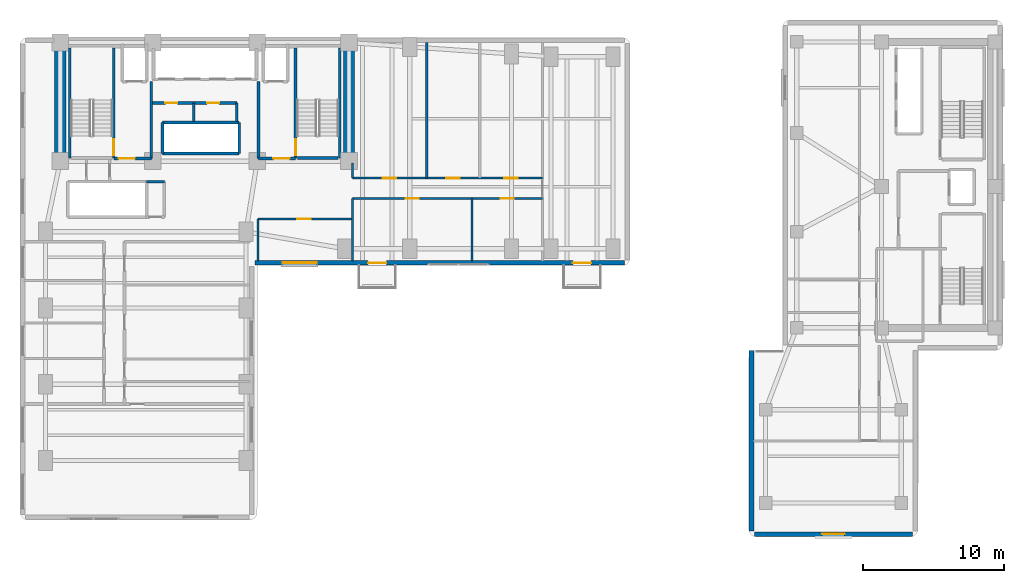
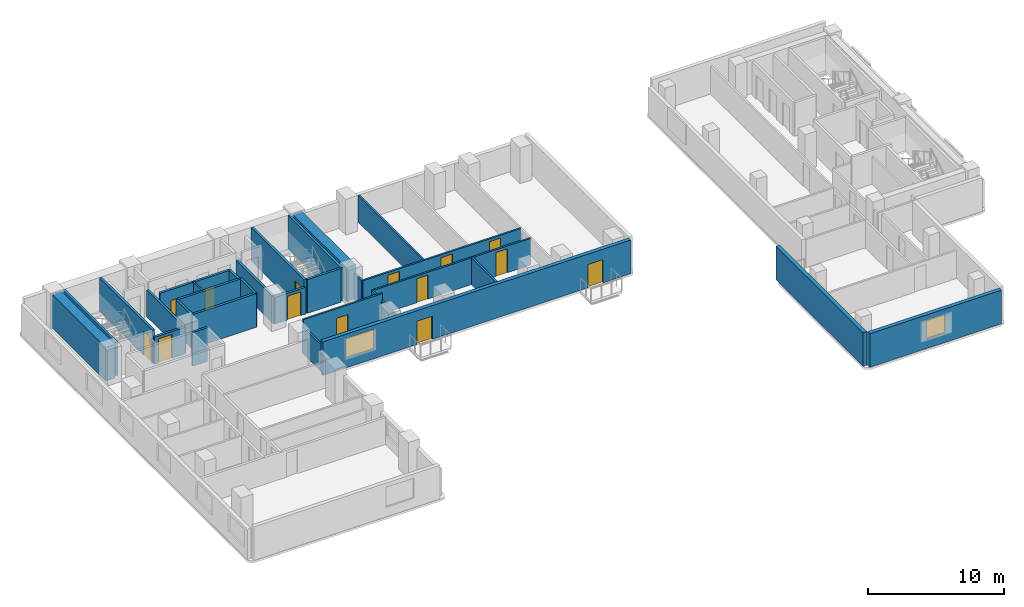
# One storey, part 9 of 14: 30 walls, 14 doors, 2 windows, 16 openings.
"""IFC4 building model written with IfcOpenShell, lengths in metres."""

from ifc_helpers import new_model, si_unit, direction, frame, frame_2d, origin, place, context, subcontext, project, spatial, rectangle, extrude, material, layer, layer_set, type_object, element, fill, save


model = new_model("IFC4")

# Units and contexts
model_context = context("Model", 3, precision=1e-05, world=origin(), true_north=direction((0.0, 1.0)))
body_context = subcontext(model_context, "Body", "Model", "MODEL_VIEW")
ifc_project = project(units=[si_unit("LENGTHUNIT", "METRE"), si_unit("AREAUNIT", "SQUARE_METRE"), si_unit("VOLUMEUNIT", "CUBIC_METRE"), si_unit("PLANEANGLEUNIT", "RADIAN"), si_unit("MASSUNIT", "GRAM", prefix="KILO")], contexts=[model_context])

# Site, building, storey
site_placement = place(None, origin())
site = spatial("IfcSite", under=ifc_project, at=site_placement, CompositionType="ELEMENT")
building_placement = place(site_placement, origin())
building = spatial("IfcBuilding", under=site, at=building_placement, Name="Kuzgunbayir Cultural Tower", CompositionType="ELEMENT")
storey_placement = place(building_placement, frame((0.0, 0.0, 62.800048828125)))
storey = spatial("IfcBuildingStorey", under=building, at=storey_placement, Name="L17", CompositionType="ELEMENT", Elevation=62.800048828125)

# Walls
ifc_material_1 = material(Name="Concrete C60/75", Category="concrete")
ifc_layer_1 = layer(ifc_material_1, 0.800048828125)
ifc_layer_set_1 = layer_set([ifc_layer_1], Name="Concrete C60/75")
wall_type_1 = type_object("IfcWallType", Name="WAL-CORE-800", PredefinedType="SHEAR", material=ifc_layer_set_1)
for number, where, z_axis, x_axis, name in (
    (1, (6.449951171875, 33.800048828125, 0.0), (0.0, 0.0, 1.0), (0.0, 1.0, 0.0), "L17 T1 Core West Shear Wall"),
    (2, (26.89990234375, 33.800048828125, 0.0), (0.0, 0.0, 1.0), (0.0, 1.0, 0.0), "L17 T1 Core East Shear Wall"),
):
    element("IfcWall", number, at=place(storey_placement, frame(where, z_axis=z_axis, x_axis=x_axis)), inside=storey, type_object=wall_type_1, Name=name, PredefinedType="SHEAR", context=body_context, shape_type="SweptSolid", body=[
        extrude(rectangle(XDim=7.949951171875, YDim=0.800048828125, at=frame_2d((3.97509765625, 0.0))), origin(), (0.0, 0.0, 1.0), 3.02001953125),
    ])

# Wall, openings, doors, window
ifc_material_2 = material(Name="Travertine Buff Ashlar", Category="masonry")
ifc_layer_2 = layer(ifc_material_2, 0.320068359375)
ifc_layer_set_2 = layer_set([ifc_layer_2], Name="Travertine Buff Ashlar")
wall_type_2 = type_object("IfcWallType", Name="WAL-EXT-STONE-320", PredefinedType="STANDARD", material=ifc_layer_set_2)
wall_1_placement = place(storey_placement, frame((20.25, 26.60009765625, 0.0), z_axis=(0.0, 0.0, 1.0), x_axis=(1.0, 0.0, 0.0)))
wall_1 = element("IfcWall", 3, at=wall_1_placement, inside=storey, type_object=wall_type_2, Name="L17 Wing B South Limestone Wall", PredefinedType="STANDARD", context=body_context, shape_type="SweptSolid", body=[
    extrude(rectangle(XDim=26.14990234375, YDim=0.320068359375, at=frame_2d((13.074951171875, 0.0))), origin(), (0.0, 0.0, 1.0), 3.02001953125),
])
opening_1_placement = place(wall_1_placement, frame((8.0, 0.0, 0.0)))
opening_1 = element("IfcOpeningElement", 4, at=opening_1_placement, cuts=wall_1, Name="Opening BD-13", PredefinedType="OPENING", context=body_context, shape_type="SweptSolid", body=[
    extrude(rectangle(XDim=1.300048828125, YDim=2.080078125, at=frame_2d((0.64990234375, 1.0400390625))), frame((0.0, 0.169921875, 0.0), z_axis=(0.0, -1.0, 0.0), x_axis=(1.0, 0.0, 0.0)), (0.0, 0.0, 1.0), 0.340087890625),
])
opening_2_placement = place(wall_1_placement, frame((22.5, 0.0, 0.0)))
opening_2 = element("IfcOpeningElement", 5, at=opening_2_placement, cuts=wall_1, Name="Opening BD-13", PredefinedType="OPENING", context=body_context, shape_type="SweptSolid", body=[
    extrude(rectangle(XDim=1.300048828125, YDim=2.080078125, at=frame_2d((0.64990234375, 1.0400390625))), frame((0.0, 0.169921875, 0.0), z_axis=(0.0, -1.0, 0.0), x_axis=(1.0, 0.0, 0.0)), (0.0, 0.0, 1.0), 0.340087890625),
])
opening_3_placement = place(wall_1_placement, frame((1.949951171875, 0.0, 0.85009765625)))
opening_3 = element("IfcOpeningElement", 6, at=opening_3_placement, cuts=wall_1, Name="Opening WO-24", PredefinedType="OPENING", context=body_context, shape_type="SweptSolid", body=[
    extrude(rectangle(XDim=2.39990234375, YDim=1.800048828125, at=frame_2d((1.199951171875, 0.89990234375))), frame((0.0, 0.169921875, 0.0), z_axis=(0.0, -1.0, 0.0), x_axis=(1.0, 0.0, 0.0)), (0.0, 0.0, 1.0), 0.340087890625),
])
ifc_material_3 = material(Name="Thermally Broken Glazed Aluminium", Category="aluminium")
door_type_1 = type_object("IfcDoorType", Name="DR-BALCONY-135", OperationType="SLIDING_TO_LEFT", PredefinedType="DOOR", material=ifc_material_3)
door_1_placement = place(opening_1_placement, origin())
door_1 = element("IfcDoor", 7, at=door_1_placement, inside=storey, type_object=door_type_1, Name="L17 South Balcony Sliding Door BAL-L17-WB1", OperationType="SLIDING_TO_LEFT", OverallHeight=2.080078125, OverallWidth=1.300048828125, PredefinedType="DOOR", context=body_context, shape_type="SweptSolid", body=[
    extrude(rectangle(XDim=1.300048828125, YDim=2.080078125, at=frame_2d((0.64990234375, 1.0400390625))), frame((0.0, 0.02490234375, 0.0), z_axis=(0.0, -1.0, 0.0), x_axis=(1.0, 0.0, 0.0)), (0.0, 0.0, 1.0), 0.050048828125),
])
fill(opening_1, door_1)
door_2_placement = place(opening_2_placement, origin())
door_2 = element("IfcDoor", 8, at=door_2_placement, inside=storey, type_object=door_type_1, Name="L17 South Balcony Sliding Door BAL-L17-WB3", OperationType="SLIDING_TO_LEFT", OverallHeight=2.080078125, OverallWidth=1.300048828125, PredefinedType="DOOR", context=body_context, shape_type="SweptSolid", body=[
    extrude(rectangle(XDim=1.300048828125, YDim=2.080078125, at=frame_2d((0.64990234375, 1.0400390625))), frame((0.0, 0.02490234375, 0.0), z_axis=(0.0, -1.0, 0.0), x_axis=(1.0, 0.0, 0.0)), (0.0, 0.0, 1.0), 0.050048828125),
])
fill(opening_2, door_2)
ifc_material_4 = material(Name="Solar-Control Triple Glazing", Category="glass")
window_type_1 = type_object("IfcWindowType", Name="WIN-OFFICE-24", PartitioningType="SINGLE_PANEL", PredefinedType="WINDOW", material=ifc_material_4)
window_1_placement = place(opening_3_placement, origin())
window_1 = element("IfcWindow", 9, at=window_1_placement, inside=storey, type_object=window_type_1, Name="L17 WBS Facade Window 10", OverallHeight=1.800048828125, OverallWidth=2.39990234375, PartitioningType="SINGLE_PANEL", PredefinedType="WINDOW", context=body_context, shape_type="SweptSolid", body=[
    extrude(rectangle(XDim=2.39990234375, YDim=1.800048828125, at=frame_2d((1.199951171875, 0.89990234375))), frame((0.0, 0.030029296875, 0.0), z_axis=(0.0, -1.0, 0.0), x_axis=(1.0, 0.0, 0.0)), (0.0, 0.0, 1.0), 0.06005859375),
])
fill(opening_3, window_1)

# Wall, opening, window
wall_2_placement = place(storey_placement, frame((55.60009765625, 7.39990234375, 0.0), z_axis=(0.0, 0.0, 1.0), x_axis=(1.0, 0.0, 0.0)))
wall_2 = element("IfcWall", 10, at=wall_2_placement, inside=storey, type_object=wall_type_2, Name="L17 Companion Wing B South Wall", PredefinedType="STANDARD", context=body_context, shape_type="SweptSolid", body=[
    extrude(rectangle(XDim=11.199951171875, YDim=0.320068359375, at=frame_2d((5.60009765625, 0.0))), origin(), (0.0, 0.0, 1.0), 3.02001953125),
])
opening_4_placement = place(wall_2_placement, frame((4.800048828125, 0.0, 0.85009765625)))
opening_4 = element("IfcOpeningElement", 11, at=opening_4_placement, cuts=wall_2, Name="Opening WC-16", PredefinedType="OPENING", context=body_context, shape_type="SweptSolid", body=[
    extrude(rectangle(XDim=1.60009765625, YDim=1.699951171875, at=frame_2d((0.800048828125, 0.85009765625))), frame((0.0, 0.169921875, 0.0), z_axis=(0.0, -1.0, 0.0), x_axis=(1.0, 0.0, 0.0)), (0.0, 0.0, 1.0), 0.340087890625),
])
window_type_2 = type_object("IfcWindowType", Name="WIN-COMP-16", PartitioningType="SINGLE_PANEL", PredefinedType="WINDOW", material=ifc_material_4)
window_2_placement = place(opening_4_placement, origin())
window_2 = element("IfcWindow", 12, at=window_2_placement, inside=storey, type_object=window_type_2, Name="L17 Companion South Window", OverallHeight=1.699951171875, OverallWidth=1.60009765625, PartitioningType="SINGLE_PANEL", PredefinedType="WINDOW", context=body_context, shape_type="SweptSolid", body=[
    extrude(rectangle(XDim=1.60009765625, YDim=1.699951171875, at=frame_2d((0.800048828125, 0.85009765625))), frame((0.0, 0.030029296875, 0.0), z_axis=(0.0, -1.0, 0.0), x_axis=(1.0, 0.0, 0.0)), (0.0, 0.0, 1.0), 0.06005859375),
])
fill(opening_4, window_2)

# Walls
wall_3_placement = place(storey_placement, frame((55.39990234375, 20.39990234375, 0.0), z_axis=(0.0, 0.0, 1.0), x_axis=(0.0, -1.0, 0.0)))
element("IfcWall", 13, at=wall_3_placement, inside=storey, type_object=wall_type_2, Name="L17 Companion Wing B West Wall", PredefinedType="STANDARD", context=body_context, shape_type="SweptSolid", body=[
    extrude(rectangle(XDim=12.7998046875, YDim=0.320068359375, at=frame_2d((6.39990234375, 0.0))), origin(), (0.0, 0.0, 1.0), 3.02001953125),
])
ifc_material_5 = material(Name="Acoustic Double-Stud Drywall", Category="gypsum")
ifc_layer_3 = layer(ifc_material_5, 0.14990234375)
ifc_layer_set_3 = layer_set([ifc_layer_3], Name="Acoustic Double-Stud Drywall")
wall_type_3 = type_object("IfcWallType", Name="WAL-PART-ACOUSTIC-150", PredefinedType="PARTITIONING", material=ifc_layer_set_3)
wall_4_placement = place(storey_placement, frame((15.89990234375, 36.60009765625, 0.0), z_axis=(0.0, 0.0, 1.0), x_axis=(0.0, 1.0, 0.0)))
element("IfcWall", 14, at=wall_4_placement, inside=storey, type_object=wall_type_3, Name="L17 Core Closets Divider", PredefinedType="PARTITIONING", context=body_context, shape_type="SweptSolid", body=[
    extrude(rectangle(XDim=1.31982421875, YDim=0.14990234375, at=frame_2d((0.659912109375, 0.0))), origin(), (0.0, 0.0, 1.0), 3.02001953125),
])

# Wall, opening, door
wall_5_placement = place(storey_placement, frame((20.449951171875, 29.699951171875, 0.0), z_axis=(0.0, 0.0, 1.0), x_axis=(1.0, 0.0, 0.0)))
wall_5 = element("IfcWall", 15, at=wall_5_placement, inside=storey, type_object=wall_type_3, Name="L17 Waist Alcove North Wall", PredefinedType="PARTITIONING", context=body_context, shape_type="SweptSolid", body=[
    extrude(rectangle(XDim=6.699951171875, YDim=0.14990234375, at=frame_2d((3.35009765625, 0.0))), origin(), (0.0, 0.0, 1.0), 3.02001953125),
])
opening_5_placement = place(wall_5_placement, frame((2.800048828125, 0.0, 0.0)))
opening_5 = element("IfcOpeningElement", 16, at=opening_5_placement, cuts=wall_5, Name="Opening DI-90", PredefinedType="OPENING", context=body_context, shape_type="SweptSolid", body=[
    extrude(rectangle(XDim=0.949951171875, YDim=2.14990234375, at=frame_2d((0.47509765625, 1.074951171875))), frame((0.0, 0.0849609375, 0.0), z_axis=(0.0, -1.0, 0.0), x_axis=(1.0, 0.0, 0.0)), (0.0, 0.0, 1.0), 0.169921875),
])
ifc_material_6 = material(Name="Veneered Oak Single Leaf", Category="wood")
door_type_2 = type_object("IfcDoorType", Name="DR-INT-90", OperationType="NOTDEFINED", PredefinedType="DOOR", material=ifc_material_6)
door_3_placement = place(opening_5_placement, origin())
door_3 = element("IfcDoor", 17, at=door_3_placement, inside=storey, type_object=door_type_2, Name="L17 Waist Alcove Door", OperationType="SINGLE_SWING_RIGHT", OverallHeight=2.14990234375, OverallWidth=0.949951171875, PredefinedType="DOOR", context=body_context, shape_type="SweptSolid", body=[
    extrude(rectangle(XDim=0.949951171875, YDim=2.14990234375, at=frame_2d((0.47509765625, 1.074951171875))), frame((0.0, 0.02490234375, 0.0), z_axis=(0.0, -1.0, 0.0), x_axis=(1.0, 0.0, 0.0)), (0.0, 0.0, 1.0), 0.050048828125),
])
fill(opening_5, door_3)

# Walls
wall_6_placement = place(storey_placement, frame((20.449951171875, 26.75, 0.0), z_axis=(0.0, 0.0, 1.0), x_axis=(0.0, 1.0, 0.0)))
element("IfcWall", 18, at=wall_6_placement, inside=storey, type_object=wall_type_3, Name="L17 Waist Alcove West Wall", PredefinedType="PARTITIONING", context=body_context, shape_type="SweptSolid", body=[
    extrude(rectangle(XDim=2.949951171875, YDim=0.14990234375, at=frame_2d((1.47509765625, 0.0))), origin(), (0.0, 0.0, 1.0), 2.39990234375),
])
wall_7_placement = place(storey_placement, frame((27.14990234375, 26.75, 0.0), z_axis=(0.0, 0.0, 1.0), x_axis=(0.0, 1.0, 0.0)))
element("IfcWall", 19, at=wall_7_placement, inside=storey, type_object=wall_type_3, Name="L17 Waist Alcove East Wall", PredefinedType="PARTITIONING", context=body_context, shape_type="SweptSolid", body=[
    extrude(rectangle(XDim=4.39990234375, YDim=0.14990234375, at=frame_2d((2.199951171875, 0.0))), origin(), (0.0, 0.0, 1.0), 2.39990234375),
])

# Wall, openings, doors
wall_8_placement = place(storey_placement, frame((27.14990234375, 31.14990234375, 0.0), z_axis=(0.0, 0.0, 1.0), x_axis=(1.0, 0.0, 0.0)))
wall_8 = element("IfcWall", 20, at=wall_8_placement, inside=storey, type_object=wall_type_3, Name="L17 Wing B Corridor South Wall", PredefinedType="PARTITIONING", context=body_context, shape_type="SweptSolid", body=[
    extrude(rectangle(XDim=13.4501953125, YDim=0.14990234375, at=frame_2d((6.72509765625, 0.0))), origin(), (0.0, 0.0, 1.0), 2.39990234375),
])
opening_6_placement = place(wall_8_placement, frame((3.75, 0.0, 0.0)))
opening_6 = element("IfcOpeningElement", 21, at=opening_6_placement, cuts=wall_8, Name="Opening DI-90", PredefinedType="OPENING", context=body_context, shape_type="SweptSolid", body=[
    extrude(rectangle(XDim=0.949951171875, YDim=2.14990234375, at=frame_2d((0.47509765625, 1.074951171875))), frame((0.0, 0.0849609375, 0.0), z_axis=(0.0, -1.0, 0.0), x_axis=(1.0, 0.0, 0.0)), (0.0, 0.0, 1.0), 0.169921875),
])
opening_7_placement = place(wall_8_placement, frame((10.47998046875, 0.0, 0.0)))
opening_7 = element("IfcOpeningElement", 22, at=opening_7_placement, cuts=wall_8, Name="Opening DI-90", PredefinedType="OPENING", context=body_context, shape_type="SweptSolid", body=[
    extrude(rectangle(XDim=0.949951171875, YDim=2.14990234375, at=frame_2d((0.47509765625, 1.074951171875))), frame((0.0, 0.0849609375, 0.0), z_axis=(0.0, -1.0, 0.0), x_axis=(1.0, 0.0, 0.0)), (0.0, 0.0, 1.0), 0.169921875),
])
door_4_placement = place(opening_6_placement, origin())
door_4 = element("IfcDoor", 23, at=door_4_placement, inside=storey, type_object=door_type_2, Name="L17 Wing B Fellows Reading Lounge 1 Door", OperationType="SINGLE_SWING_LEFT", OverallHeight=2.14990234375, OverallWidth=0.949951171875, PredefinedType="DOOR", context=body_context, shape_type="SweptSolid", body=[
    extrude(rectangle(XDim=0.949951171875, YDim=2.14990234375, at=frame_2d((0.47509765625, 1.074951171875))), frame((0.0, 0.02490234375, 0.0), z_axis=(0.0, -1.0, 0.0), x_axis=(1.0, 0.0, 0.0)), (0.0, 0.0, 1.0), 0.050048828125),
])
fill(opening_6, door_4)
door_5_placement = place(opening_7_placement, origin())
door_5 = element("IfcDoor", 24, at=door_5_placement, inside=storey, type_object=door_type_2, Name="L17 Wing B Culinary Tasting Pantry 2 Door", OperationType="SINGLE_SWING_RIGHT", OverallHeight=2.14990234375, OverallWidth=0.949951171875, PredefinedType="DOOR", context=body_context, shape_type="SweptSolid", body=[
    extrude(rectangle(XDim=0.949951171875, YDim=2.14990234375, at=frame_2d((0.47509765625, 1.074951171875))), frame((0.0, 0.02490234375, 0.0), z_axis=(0.0, -1.0, 0.0), x_axis=(1.0, 0.0, 0.0)), (0.0, 0.0, 1.0), 0.050048828125),
])
fill(opening_7, door_5)

wall_9_placement = place(storey_placement, frame((27.14990234375, 32.60009765625, 0.0), z_axis=(0.0, 0.0, 1.0), x_axis=(1.0, 0.0, 0.0)))
wall_9 = element("IfcWall", 25, at=wall_9_placement, inside=storey, type_object=wall_type_3, Name="L17 Wing B Corridor North Wall", PredefinedType="PARTITIONING", context=body_context, shape_type="SweptSolid", body=[
    extrude(rectangle(XDim=13.4501953125, YDim=0.14990234375, at=frame_2d((6.72509765625, 0.0))), origin(), (0.0, 0.0, 1.0), 2.39990234375),
])
opening_8_placement = place(wall_9_placement, frame((2.14990234375, 0.0, 0.0)))
opening_8 = element("IfcOpeningElement", 26, at=opening_8_placement, cuts=wall_9, Name="Opening DI-90", PredefinedType="OPENING", context=body_context, shape_type="SweptSolid", body=[
    extrude(rectangle(XDim=0.949951171875, YDim=2.14990234375, at=frame_2d((0.47509765625, 1.074951171875))), frame((0.0, 0.0849609375, 0.0), z_axis=(0.0, -1.0, 0.0), x_axis=(1.0, 0.0, 0.0)), (0.0, 0.0, 1.0), 0.169921875),
])
opening_9_placement = place(wall_9_placement, frame((6.64990234375, 0.0, 0.0)))
opening_9 = element("IfcOpeningElement", 27, at=opening_9_placement, cuts=wall_9, Name="Opening DI-90", PredefinedType="OPENING", context=body_context, shape_type="SweptSolid", body=[
    extrude(rectangle(XDim=0.949951171875, YDim=2.14990234375, at=frame_2d((0.47509765625, 1.074951171875))), frame((0.0, 0.0849609375, 0.0), z_axis=(0.0, -1.0, 0.0), x_axis=(1.0, 0.0, 0.0)), (0.0, 0.0, 1.0), 0.169921875),
])
opening_10_placement = place(wall_9_placement, frame((10.75, 0.0, 0.0)))
opening_10 = element("IfcOpeningElement", 28, at=opening_10_placement, cuts=wall_9, Name="Opening DI-90", PredefinedType="OPENING", context=body_context, shape_type="SweptSolid", body=[
    extrude(rectangle(XDim=0.949951171875, YDim=2.14990234375, at=frame_2d((0.47509765625, 1.074951171875))), frame((0.0, 0.0849609375, 0.0), z_axis=(0.0, -1.0, 0.0), x_axis=(1.0, 0.0, 0.0)), (0.0, 0.0, 1.0), 0.169921875),
])
door_6_placement = place(opening_8_placement, origin())
door_6 = element("IfcDoor", 29, at=door_6_placement, inside=storey, type_object=door_type_2, Name="L17 Wing B North Fellows Reading Lounge 1 Door", OperationType="SINGLE_SWING_LEFT", OverallHeight=2.14990234375, OverallWidth=0.949951171875, PredefinedType="DOOR", context=body_context, shape_type="SweptSolid", body=[
    extrude(rectangle(XDim=0.949951171875, YDim=2.14990234375, at=frame_2d((0.47509765625, 1.074951171875))), frame((0.0, 0.02490234375, 0.0), z_axis=(0.0, -1.0, 0.0), x_axis=(1.0, 0.0, 0.0)), (0.0, 0.0, 1.0), 0.050048828125),
])
fill(opening_8, door_6)
door_7_placement = place(opening_9_placement, origin())
door_7 = element("IfcDoor", 30, at=door_7_placement, inside=storey, type_object=door_type_2, Name="L17 Wing B North Curatorial Office 2 Door", OperationType="SINGLE_SWING_RIGHT", OverallHeight=2.14990234375, OverallWidth=0.949951171875, PredefinedType="DOOR", context=body_context, shape_type="SweptSolid", body=[
    extrude(rectangle(XDim=0.949951171875, YDim=2.14990234375, at=frame_2d((0.47509765625, 1.074951171875))), frame((0.0, 0.02490234375, 0.0), z_axis=(0.0, -1.0, 0.0), x_axis=(1.0, 0.0, 0.0)), (0.0, 0.0, 1.0), 0.050048828125),
])
fill(opening_9, door_7)
door_8_placement = place(opening_10_placement, origin())
door_8 = element("IfcDoor", 31, at=door_8_placement, inside=storey, type_object=door_type_2, Name="L17 Wing B North Seminar Boardroom 3 Door", OperationType="SINGLE_SWING_LEFT", OverallHeight=2.14990234375, OverallWidth=0.949951171875, PredefinedType="DOOR", context=body_context, shape_type="SweptSolid", body=[
    extrude(rectangle(XDim=0.949951171875, YDim=2.14990234375, at=frame_2d((0.47509765625, 1.074951171875))), frame((0.0, 0.02490234375, 0.0), z_axis=(0.0, -1.0, 0.0), x_axis=(1.0, 0.0, 0.0)), (0.0, 0.0, 1.0), 0.050048828125),
])
fill(opening_10, door_8)

# Walls
wall_10_placement = place(storey_placement, frame((27.14990234375, 32.60009765625, 0.0), z_axis=(0.0, 0.0, 1.0), x_axis=(0.0, 1.0, 0.0)))
element("IfcWall", 32, at=wall_10_placement, inside=storey, type_object=wall_type_3, Name="L17 Wing B North Core Closure Wall", PredefinedType="PARTITIONING", context=body_context, shape_type="SweptSolid", body=[
    extrude(rectangle(XDim=1.079833984375, YDim=0.14990234375, at=frame_2d((0.5400390625, 0.0))), origin(), (0.0, 0.0, 1.0), 2.39990234375),
])
wall_11_placement = place(storey_placement, frame((35.6201171875, 26.75, 0.0), z_axis=(0.0, 0.0, 1.0), x_axis=(0.0, 1.0, 0.0)))
element("IfcWall", 33, at=wall_11_placement, inside=storey, type_object=wall_type_3, Name="L17 Wing B South Partition 1", PredefinedType="PARTITIONING", context=body_context, shape_type="SweptSolid", body=[
    extrude(rectangle(XDim=4.39990234375, YDim=0.14990234375, at=frame_2d((2.199951171875, 0.0))), origin(), (0.0, 0.0, 1.0), 2.39990234375),
])
wall_12_placement = place(storey_placement, frame((32.39990234375, 32.60009765625, 0.0), z_axis=(0.0, 0.0, 1.0), x_axis=(0.0, 1.0, 0.0)))
element("IfcWall", 34, at=wall_12_placement, inside=storey, type_object=wall_type_3, Name="L17 Wing B North Partition 1", PredefinedType="PARTITIONING", context=body_context, shape_type="SweptSolid", body=[
    extrude(rectangle(XDim=9.599853515625, YDim=0.14990234375, at=frame_2d((4.7998046875, 0.0))), origin(), (0.0, 0.0, 1.0), 2.39990234375),
])
ifc_material_7 = material(Name="Aerated Concrete Blockwork", Category="masonry")
ifc_layer_4 = layer(ifc_material_7, 0.199951171875)
ifc_layer_set_4 = layer_set([ifc_layer_4], Name="Aerated Concrete Blockwork")
wall_type_4 = type_object("IfcWallType", Name="WAL-PART-FIRE-200", PredefinedType="PARTITIONING", material=ifc_layer_set_4)
wall_13_placement = place(storey_placement, frame((12.89990234375, 34.0, 0.0), z_axis=(0.0, 0.0, 1.0), x_axis=(0.0, 1.0, 0.0)))
element("IfcWall", 35, at=wall_13_placement, inside=storey, type_object=wall_type_4, Name="L17 FFL-1 Lobby East Fire Wall", PredefinedType="PARTITIONING", context=body_context, shape_type="SweptSolid", body=[
    extrude(rectangle(XDim=5.449951171875, YDim=0.199951171875, at=frame_2d((2.72509765625, 0.0))), origin(), (0.0, 0.0, 1.0), 2.39990234375),
])

# Wall, opening, door
wall_14_placement = place(storey_placement, frame((10.239990234375, 34.0, 0.0), z_axis=(0.0, 0.0, 1.0), x_axis=(1.0, 0.0, 0.0)))
wall_14 = element("IfcWall", 36, at=wall_14_placement, inside=storey, type_object=wall_type_4, Name="L17 FFL-1 Lobby South Fire Wall", PredefinedType="PARTITIONING", context=body_context, shape_type="SweptSolid", body=[
    extrude(rectangle(XDim=2.659912109375, YDim=0.199951171875, at=frame_2d((1.330078125, 0.0))), origin(), (0.0, 0.0, 1.0), 2.39990234375),
])
opening_11_placement = place(wall_14_placement, frame((0.35009765625, 0.0, 0.0)))
opening_11 = element("IfcOpeningElement", 37, at=opening_11_placement, cuts=wall_14, Name="Opening DR-FFL-90", PredefinedType="OPENING", context=body_context, shape_type="SweptSolid", body=[
    extrude(rectangle(XDim=1.14990234375, YDim=2.14990234375, at=frame_2d((0.574951171875, 1.074951171875))), frame((0.0, 0.10986328125, 0.0), z_axis=(0.0, -1.0, 0.0), x_axis=(1.0, 0.0, 0.0)), (0.0, 0.0, 1.0), 0.219970703125),
])
ifc_material_8 = material(Name="Steel S355J2", Category="steel")
door_type_3 = type_object("IfcDoorType", Name="DR-FFL-90", OperationType="NOTDEFINED", PredefinedType="DOOR", material=ifc_material_8)
door_9_placement = place(opening_11_placement, origin())
door_9 = element("IfcDoor", 38, at=door_9_placement, inside=storey, type_object=door_type_3, Name="L17 Firefighting Lobby 1 Door", OperationType="SINGLE_SWING_LEFT", OverallHeight=2.14990234375, OverallWidth=1.14990234375, PredefinedType="DOOR", context=body_context, shape_type="SweptSolid", body=[
    extrude(rectangle(XDim=1.14990234375, YDim=2.14990234375, at=frame_2d((0.574951171875, 1.074951171875))), frame((0.0, 0.02490234375, 0.0), z_axis=(0.0, -1.0, 0.0), x_axis=(1.0, 0.0, 0.0)), (0.0, 0.0, 1.0), 0.050048828125),
])
fill(opening_11, door_9)

# Wall
wall_15_placement = place(storey_placement, frame((20.5, 34.0, 0.0), z_axis=(0.0, 0.0, 1.0), x_axis=(0.0, 1.0, 0.0)))
element("IfcWall", 39, at=wall_15_placement, inside=storey, type_object=wall_type_4, Name="L17 FFL-2 Lobby West Fire Wall", PredefinedType="PARTITIONING", context=body_context, shape_type="SweptSolid", body=[
    extrude(rectangle(XDim=5.449951171875, YDim=0.199951171875, at=frame_2d((2.72509765625, 0.0))), origin(), (0.0, 0.0, 1.0), 2.39990234375),
])

# Wall, opening, door
wall_16_placement = place(storey_placement, frame((20.5, 34.0, 0.0), z_axis=(0.0, 0.0, 1.0), x_axis=(1.0, 0.0, 0.0)))
wall_16 = element("IfcWall", 40, at=wall_16_placement, inside=storey, type_object=wall_type_4, Name="L17 FFL-2 Lobby South Fire Wall", PredefinedType="PARTITIONING", context=body_context, shape_type="SweptSolid", body=[
    extrude(rectangle(XDim=2.60009765625, YDim=0.199951171875, at=frame_2d((1.300048828125, 0.0))), origin(), (0.0, 0.0, 1.0), 2.39990234375),
])
opening_12_placement = place(wall_16_placement, frame((1.050048828125, 0.0, 0.0)))
opening_12 = element("IfcOpeningElement", 41, at=opening_12_placement, cuts=wall_16, Name="Opening DR-FFL-90", PredefinedType="OPENING", context=body_context, shape_type="SweptSolid", body=[
    extrude(rectangle(XDim=1.14990234375, YDim=2.14990234375, at=frame_2d((0.574951171875, 1.074951171875))), frame((0.0, 0.10986328125, 0.0), z_axis=(0.0, -1.0, 0.0), x_axis=(1.0, 0.0, 0.0)), (0.0, 0.0, 1.0), 0.219970703125),
])
door_10_placement = place(opening_12_placement, origin())
door_10 = element("IfcDoor", 42, at=door_10_placement, inside=storey, type_object=door_type_3, Name="L17 Firefighting Lobby 2 Door", OperationType="SINGLE_SWING_RIGHT", OverallHeight=2.14990234375, OverallWidth=1.14990234375, PredefinedType="DOOR", context=body_context, shape_type="SweptSolid", body=[
    extrude(rectangle(XDim=1.14990234375, YDim=2.14990234375, at=frame_2d((0.574951171875, 1.074951171875))), frame((0.0, 0.02490234375, 0.0), z_axis=(0.0, -1.0, 0.0), x_axis=(1.0, 0.0, 0.0)), (0.0, 0.0, 1.0), 0.050048828125),
])
fill(opening_12, door_10)

# Wall
wall_17_placement = place(storey_placement, frame((12.550048828125, 32.35009765625, 0.0), z_axis=(0.0, 0.0, 1.0), x_axis=(1.0, 0.0, 0.0)))
element("IfcWall", 43, at=wall_17_placement, inside=storey, type_object=wall_type_4, Name="L17 Center Core Switchgear North Wall", PredefinedType="PARTITIONING", context=body_context, shape_type="SweptSolid", body=[
    extrude(rectangle(XDim=1.27001953125, YDim=0.199951171875, at=frame_2d((0.635009765625, 0.0))), origin(), (0.0, 0.0, 1.0), 3.02001953125),
])

# Wall, openings, doors
wall_18_placement = place(storey_placement, frame((13.0, 37.919921875, 0.0), z_axis=(0.0, 0.0, 1.0), x_axis=(1.0, 0.0, 0.0)))
wall_18 = element("IfcWall", 44, at=wall_18_placement, inside=storey, type_object=wall_type_4, Name="L17 Core Closets North Wall", PredefinedType="PARTITIONING", context=body_context, shape_type="SweptSolid", body=[
    extrude(rectangle(XDim=5.949951171875, YDim=0.199951171875, at=frame_2d((2.97509765625, 0.0))), origin(), (0.0, 0.0, 1.0), 3.02001953125),
])
opening_13_placement = place(wall_18_placement, frame((0.89990234375, 0.0, 0.0)))
opening_13 = element("IfcOpeningElement", 45, at=opening_13_placement, cuts=wall_18, Name="Opening DR-RSR-60", PredefinedType="OPENING", context=body_context, shape_type="SweptSolid", body=[
    extrude(rectangle(XDim=0.85009765625, YDim=2.050048828125, at=frame_2d((0.425048828125, 1.02490234375))), frame((0.0, 0.10986328125, 0.0), z_axis=(0.0, -1.0, 0.0), x_axis=(1.0, 0.0, 0.0)), (0.0, 0.0, 1.0), 0.219970703125),
])
opening_14_placement = place(wall_18_placement, frame((3.85009765625, 0.0, 0.0)))
opening_14 = element("IfcOpeningElement", 46, at=opening_14_placement, cuts=wall_18, Name="Opening DR-RSR-60", PredefinedType="OPENING", context=body_context, shape_type="SweptSolid", body=[
    extrude(rectangle(XDim=0.85009765625, YDim=2.050048828125, at=frame_2d((0.425048828125, 1.02490234375))), frame((0.0, 0.10986328125, 0.0), z_axis=(0.0, -1.0, 0.0), x_axis=(1.0, 0.0, 0.0)), (0.0, 0.0, 1.0), 0.219970703125),
])
ifc_material_9 = material(Name="Steel Access Leaf", Category="steel")
door_type_4 = type_object("IfcDoorType", Name="DR-RISER-60", OperationType="NOTDEFINED", PredefinedType="DOOR", material=ifc_material_9)
door_11_placement = place(opening_13_placement, origin())
door_11 = element("IfcDoor", 47, at=door_11_placement, inside=storey, type_object=door_type_4, Name="L17 Electrical Switchgear Closet Door", OperationType="SINGLE_SWING_RIGHT", OverallHeight=2.050048828125, OverallWidth=0.85009765625, PredefinedType="DOOR", context=body_context, shape_type="SweptSolid", body=[
    extrude(rectangle(XDim=0.85009765625, YDim=2.050048828125, at=frame_2d((0.425048828125, 1.02490234375))), frame((0.0, 0.02490234375, 0.0), z_axis=(0.0, -1.0, 0.0), x_axis=(1.0, 0.0, 0.0)), (0.0, 0.0, 1.0), 0.050048828125),
])
fill(opening_13, door_11)
door_12_placement = place(opening_14_placement, origin())
door_12 = element("IfcDoor", 48, at=door_12_placement, inside=storey, type_object=door_type_4, Name="L17 Janitor Store Door", OperationType="SINGLE_SWING_LEFT", OverallHeight=2.050048828125, OverallWidth=0.85009765625, PredefinedType="DOOR", context=body_context, shape_type="SweptSolid", body=[
    extrude(rectangle(XDim=0.85009765625, YDim=2.050048828125, at=frame_2d((0.425048828125, 1.02490234375))), frame((0.0, 0.02490234375, 0.0), z_axis=(0.0, -1.0, 0.0), x_axis=(1.0, 0.0, 0.0)), (0.0, 0.0, 1.0), 0.050048828125),
])
fill(opening_14, door_12)

# Walls
wall_19_placement = place(storey_placement, frame((18.949951171875, 36.60009765625, 0.0), z_axis=(0.0, 0.0, 1.0), x_axis=(0.0, 1.0, 0.0)))
element("IfcWall", 49, at=wall_19_placement, inside=storey, type_object=wall_type_4, Name="L17 Core Closets East Wall", PredefinedType="PARTITIONING", context=body_context, shape_type="SweptSolid", body=[
    extrude(rectangle(XDim=1.31982421875, YDim=0.199951171875, at=frame_2d((0.659912109375, 0.0))), origin(), (0.0, 0.0, 1.0), 3.02001953125),
])
ifc_material_10 = material(Name="Concrete C40/50", Category="concrete")
ifc_layer_5 = layer(ifc_material_10, 0.199951171875)
ifc_layer_set_5 = layer_set([ifc_layer_5], Name="Concrete C40/50")
wall_type_5 = type_object("IfcWallType", Name="WAL-SHAFT-200", PredefinedType="MOVABLE", material=ifc_layer_set_5)
for number, where, z_axis, x_axis, name in (
    (50, (13.699951171875, 34.35009765625, 0.0), (0.0, 0.0, 1.0), (1.0, 0.0, 0.0), "L17 Mid-Rise Lift Front Wall"),
    (51, (13.699951171875, 36.550048828125, 0.0), (0.0, 0.0, 1.0), (1.0, 0.0, 0.0), "L17 Mid-Rise Lift Shaft North Wall"),
):
    element("IfcWall", number, at=place(storey_placement, frame(where, z_axis=z_axis, x_axis=x_axis)), inside=storey, type_object=wall_type_5, Name=name, PredefinedType="MOVABLE", context=body_context, shape_type="SweptSolid", body=[
        extrude(rectangle(XDim=5.420166015625, YDim=0.199951171875, at=frame_2d((2.7099609375, 0.0))), origin(), (0.0, 0.0, 1.0), 3.02001953125),
    ])
for number, where, z_axis, x_axis, name in (
    (52, (13.699951171875, 34.35009765625, 0.0), (0.0, 0.0, 1.0), (0.0, 1.0, 0.0), "L17 Mid-Rise Lift Shaft West Wall"),
    (53, (19.1201171875, 34.35009765625, 0.0), (0.0, 0.0, 1.0), (0.0, 1.0, 0.0), "L17 Mid-Rise Lift Shaft East Wall"),
):
    element("IfcWall", number, at=place(storey_placement, frame(where, z_axis=z_axis, x_axis=x_axis)), inside=storey, type_object=wall_type_5, Name=name, PredefinedType="MOVABLE", context=body_context, shape_type="SweptSolid", body=[
        extrude(rectangle(XDim=2.199951171875, YDim=0.199951171875, at=frame_2d((1.10009765625, 0.0))), origin(), (0.0, 0.0, 1.0), 3.02001953125),
    ])
ifc_layer_6 = layer(ifc_material_10, 0.199951171875)
ifc_layer_set_6 = layer_set([ifc_layer_6], Name="Concrete C40/50")
wall_type_6 = type_object("IfcWallType", Name="WAL-STAIR-RC-200", PredefinedType="SHEAR", material=ifc_layer_set_6)
wall_20_placement = place(storey_placement, frame((7.1201171875, 34.02001953125, 0.0), z_axis=(0.0, 0.0, 1.0), x_axis=(0.0, 1.0, 0.0)))
element("IfcWall", 54, at=wall_20_placement, inside=storey, type_object=wall_type_6, Name="L17 Stair ST-1 West Structural Wall", PredefinedType="SHEAR", context=body_context, shape_type="SweptSolid", body=[
    extrude(rectangle(XDim=7.780029296875, YDim=0.199951171875, at=frame_2d((3.89013671875, 0.0))), origin(), (0.0, 0.0, 1.0), 3.02001953125),
])

# Wall, opening, door
wall_21_placement = place(storey_placement, frame((10.239990234375, 34.02001953125, 0.0), z_axis=(0.0, 0.0, 1.0), x_axis=(0.0, 1.0, 0.0)))
wall_21 = element("IfcWall", 55, at=wall_21_placement, inside=storey, type_object=wall_type_6, Name="L17 Stair ST-1 East Structural Wall", PredefinedType="SHEAR", context=body_context, shape_type="SweptSolid", body=[
    extrude(rectangle(XDim=7.780029296875, YDim=0.199951171875, at=frame_2d((3.89013671875, 0.0))), origin(), (0.0, 0.0, 1.0), 3.02001953125),
])
opening_15_placement = place(wall_21_placement, frame((0.219970703125, 0.0, 0.0)))
opening_15 = element("IfcOpeningElement", 56, at=opening_15_placement, cuts=wall_21, Name="Opening DR-STAIR-90", PredefinedType="OPENING", context=body_context, shape_type="SweptSolid", body=[
    extrude(rectangle(XDim=1.10009765625, YDim=2.14990234375, at=frame_2d((0.550048828125, 1.074951171875))), frame((0.0, 0.10986328125, 0.0), z_axis=(0.0, -1.0, 0.0), x_axis=(1.0, 0.0, 0.0)), (0.0, 0.0, 1.0), 0.219970703125),
])
door_type_5 = type_object("IfcDoorType", Name="DR-STAIR-90", OperationType="NOTDEFINED", PredefinedType="DOOR", material=ifc_material_8)
door_13_placement = place(opening_15_placement, origin())
door_13 = element("IfcDoor", 57, at=door_13_placement, inside=storey, type_object=door_type_5, Name="L17 Stair ST-1 Fire Door", OperationType="SINGLE_SWING_LEFT", OverallHeight=2.14990234375, OverallWidth=1.10009765625, PredefinedType="DOOR", context=body_context, shape_type="SweptSolid", body=[
    extrude(rectangle(XDim=1.10009765625, YDim=2.14990234375, at=frame_2d((0.550048828125, 1.074951171875))), frame((0.0, 0.02490234375, 0.0), z_axis=(0.0, -1.0, 0.0), x_axis=(1.0, 0.0, 0.0)), (0.0, 0.0, 1.0), 0.050048828125),
])
fill(opening_15, door_13)

wall_22_placement = place(storey_placement, frame((23.1201171875, 34.02001953125, 0.0), z_axis=(0.0, 0.0, 1.0), x_axis=(0.0, 1.0, 0.0)))
wall_22 = element("IfcWall", 58, at=wall_22_placement, inside=storey, type_object=wall_type_6, Name="L17 Stair ST-2 West Structural Wall", PredefinedType="SHEAR", context=body_context, shape_type="SweptSolid", body=[
    extrude(rectangle(XDim=7.780029296875, YDim=0.199951171875, at=frame_2d((3.89013671875, 0.0))), origin(), (0.0, 0.0, 1.0), 3.02001953125),
])
opening_16_placement = place(wall_22_placement, frame((0.219970703125, 0.0, 0.0)))
opening_16 = element("IfcOpeningElement", 59, at=opening_16_placement, cuts=wall_22, Name="Opening DR-STAIR-90", PredefinedType="OPENING", context=body_context, shape_type="SweptSolid", body=[
    extrude(rectangle(XDim=1.10009765625, YDim=2.14990234375, at=frame_2d((0.550048828125, 1.074951171875))), frame((0.0, 0.10986328125, 0.0), z_axis=(0.0, -1.0, 0.0), x_axis=(1.0, 0.0, 0.0)), (0.0, 0.0, 1.0), 0.219970703125),
])
door_14_placement = place(opening_16_placement, origin())
door_14 = element("IfcDoor", 60, at=door_14_placement, inside=storey, type_object=door_type_5, Name="L17 Stair ST-2 Fire Door", OperationType="SINGLE_SWING_LEFT", OverallHeight=2.14990234375, OverallWidth=1.10009765625, PredefinedType="DOOR", context=body_context, shape_type="SweptSolid", body=[
    extrude(rectangle(XDim=1.10009765625, YDim=2.14990234375, at=frame_2d((0.550048828125, 1.074951171875))), frame((0.0, 0.02490234375, 0.0), z_axis=(0.0, -1.0, 0.0), x_axis=(1.0, 0.0, 0.0)), (0.0, 0.0, 1.0), 0.050048828125),
])
fill(opening_16, door_14)

# Walls
wall_23_placement = place(storey_placement, frame((26.239990234375, 34.02001953125, 0.0), z_axis=(0.0, 0.0, 1.0), x_axis=(0.0, 1.0, 0.0)))
element("IfcWall", 61, at=wall_23_placement, inside=storey, type_object=wall_type_6, Name="L17 Stair ST-2 East Structural Wall", PredefinedType="SHEAR", context=body_context, shape_type="SweptSolid", body=[
    extrude(rectangle(XDim=7.780029296875, YDim=0.199951171875, at=frame_2d((3.89013671875, 0.0))), origin(), (0.0, 0.0, 1.0), 3.02001953125),
])
wall_24_placement = place(storey_placement, frame((23.239990234375, 34.02001953125, 0.0), z_axis=(0.0, 0.0, 1.0), x_axis=(1.0, 0.0, 0.0)))
element("IfcWall", 62, at=wall_24_placement, inside=storey, type_object=wall_type_6, Name="L17 Stair ST-2 South Structural Wall", PredefinedType="SHEAR", context=body_context, shape_type="SweptSolid", body=[
    extrude(rectangle(XDim=2.880126953125, YDim=0.199951171875, at=frame_2d((1.43994140625, 0.0))), origin(), (0.0, 0.0, 1.0), 3.02001953125),
])

save(model, "model.ifc")
